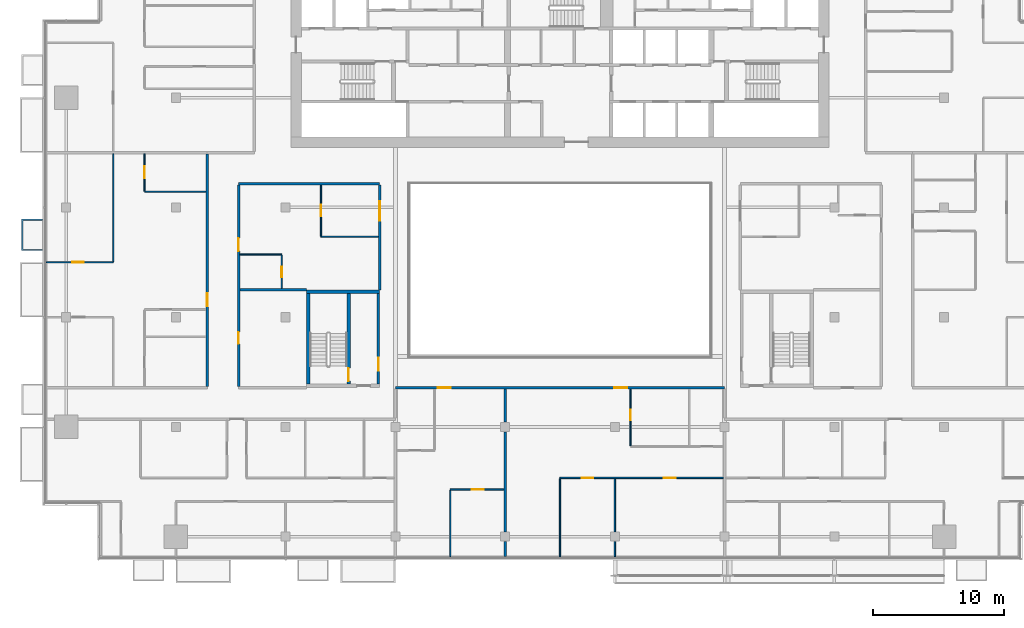
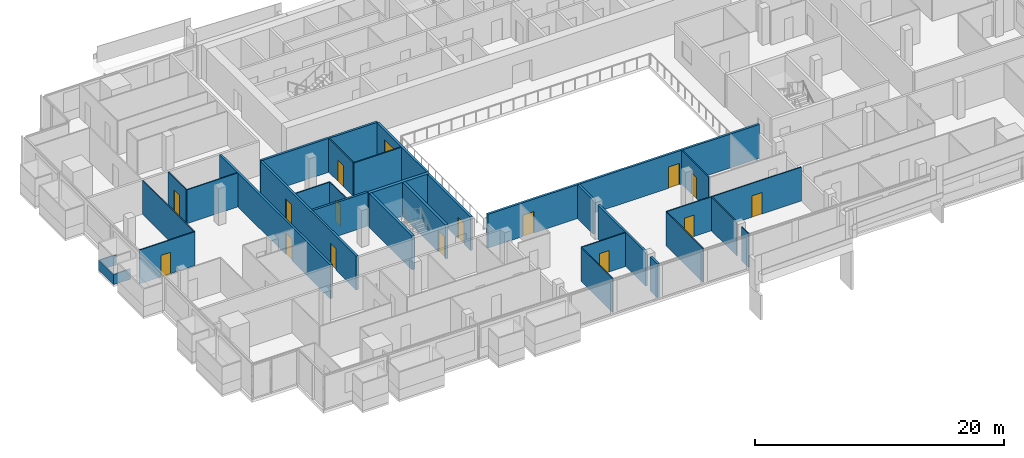
# One storey, part 18 of 28: 29 walls, 15 doors, 1 window, 16 openings.
"""IFC4 building model written with IfcOpenShell, lengths in metres."""

from ifc_helpers import new_model, si_unit, direction, frame, frame_2d, origin, place, context, subcontext, project, spatial, polyline, rectangle, outline, extrude, material, layer, layer_set, type_object, element, fill, save


model = new_model("IFC4")

# Units and contexts
model_context = context("Model", 3, precision=1e-05, world=origin(), true_north=direction((0.0, 1.0)))
body_context = subcontext(model_context, "Body", "Model", "MODEL_VIEW")
ifc_project = project(units=[si_unit("LENGTHUNIT", "METRE"), si_unit("AREAUNIT", "SQUARE_METRE"), si_unit("VOLUMEUNIT", "CUBIC_METRE"), si_unit("PLANEANGLEUNIT", "RADIAN"), si_unit("MASSUNIT", "GRAM", prefix="KILO")], contexts=[model_context])

# Site, building, storey
site_placement = place(None, origin())
site = spatial("IfcSite", under=ifc_project, at=site_placement, CompositionType="ELEMENT")
building_placement = place(site_placement, origin())
building = spatial("IfcBuilding", under=site, at=building_placement, Name="Saffron Gate Tower", CompositionType="ELEMENT")
storey_placement = place(building_placement, frame((0.0, 0.0, 154.64990234375)))
storey = spatial("IfcBuildingStorey", under=building, at=storey_placement, Name="L37", CompositionType="ELEMENT", Elevation=154.64990234375)

# Wall, opening, door
ifc_material_1 = material(Name="Gypsum board partition on steel studs", Category="steel")
ifc_layer_1 = layer(ifc_material_1, 0.199951171875)
ifc_layer_set_1 = layer_set([ifc_layer_1], Name="CW10 Core partition 200")
wall_type_1 = type_object("IfcWallType", Name="CW10 Core partition 200", PredefinedType="PARTITIONING", material=ifc_layer_set_1)
wall_1_placement = place(storey_placement, frame((73.699951171875, 43.5, 0.0), z_axis=(0.0, 0.0, 1.0), x_axis=(0.0, 1.0, 0.0)))
wall_1 = element("IfcWall", 1, at=wall_1_placement, inside=storey, type_object=wall_type_1, Name="Wall CW10-L37-D-4", PredefinedType="PARTITIONING", context=body_context, shape_type="SweptSolid", body=[
    extrude(rectangle(XDim=6.89990234375, YDim=0.199951171875, at=frame_2d((3.449951171875, 0.0))), origin(), (0.0, 0.0, 1.0), 3.320068359375),
])
opening_1_placement = place(wall_1_placement, frame((1.0, 0.0, 0.0)))
opening_1 = element("IfcOpeningElement", 2, at=opening_1_placement, cuts=wall_1, Name="Opening CR-19", PredefinedType="OPENING", context=body_context, shape_type="SweptSolid", body=[
    extrude(rectangle(XDim=1.0, YDim=2.10009765625, at=frame_2d((0.5, 1.050048828125))), frame((0.0, 0.10986328125, 0.0), z_axis=(0.0, -1.0, 0.0), x_axis=(1.0, 0.0, 0.0)), (0.0, 0.0, 1.0), 0.219970703125),
])
ifc_material_2 = material(Name="Steel fire door set", Category="steel")
door_type_1 = type_object("IfcDoorType", Name="CD4 Lobby door 1000x2100 EI 120", OperationType="NOTDEFINED", PredefinedType="DOOR", material=ifc_material_2)
door_1_placement = place(opening_1_placement, origin())
door_1 = element("IfcDoor", 3, at=door_1_placement, inside=storey, type_object=door_type_1, Name="DOOR CR-19", OperationType="SINGLE_SWING_RIGHT", OverallHeight=2.10009765625, OverallWidth=1.0, PredefinedType="DOOR", context=body_context, shape_type="SweptSolid", body=[
    extrude(rectangle(XDim=1.0, YDim=2.10009765625, at=frame_2d((0.5, 1.050048828125))), frame((0.0, 0.02490234375, 0.0), z_axis=(0.0, -1.0, 0.0), x_axis=(1.0, 0.0, 0.0)), (0.0, 0.0, 1.0), 0.050048828125),
])
fill(opening_1, door_1)

# Wall
ifc_material_3 = material(Name="Concrete C60", Category="concrete")
ifc_layer_2 = layer(ifc_material_3, 0.25)
ifc_layer_set_2 = layer_set([ifc_layer_2], Name="CW14 RC core wall 250 C60")
wall_type_2 = type_object("IfcWallType", Name="CW14 RC core wall 250 C60", PredefinedType="SOLIDWALL", material=ifc_layer_set_2)
wall_2_placement = place(storey_placement, frame((68.324951171875, 43.5, 0.0), z_axis=(0.0, 0.0, 1.0), x_axis=(0.0, 1.0, 0.0)))
element("IfcWall", 4, at=wall_2_placement, inside=storey, type_object=wall_type_2, Name="Wall CW14-L37-D-2", PredefinedType="SOLIDWALL", context=body_context, shape_type="SweptSolid", body=[
    extrude(rectangle(XDim=6.89990234375, YDim=0.25, at=frame_2d((3.449951171875, 0.0))), origin(), (0.0, 0.0, 1.0), 3.320068359375),
])

# Wall, opening, door
wall_3_placement = place(storey_placement, frame((71.425048828125, 43.5, 0.0), z_axis=(0.0, 0.0, 1.0), x_axis=(0.0, 1.0, 0.0)))
wall_3 = element("IfcWall", 5, at=wall_3_placement, inside=storey, type_object=wall_type_2, Name="Wall CW14-L37-D-3", PredefinedType="SOLIDWALL", context=body_context, shape_type="SweptSolid", body=[
    extrude(rectangle(XDim=6.89990234375, YDim=0.25, at=frame_2d((3.449951171875, 0.0))), origin(), (0.0, 0.0, 1.0), 3.320068359375),
])
opening_2_placement = place(wall_3_placement, frame((0.199951171875, 0.0, 0.0)))
opening_2 = element("IfcOpeningElement", 6, at=opening_2_placement, cuts=wall_3, Name="Opening CR-20", PredefinedType="OPENING", context=body_context, shape_type="SweptSolid", body=[
    extrude(rectangle(XDim=1.0, YDim=2.10009765625, at=frame_2d((0.5, 1.050048828125))), frame((0.0, 0.135009765625, 0.0), z_axis=(0.0, -1.0, 0.0), x_axis=(1.0, 0.0, 0.0)), (0.0, 0.0, 1.0), 0.27001953125),
])
door_type_2 = type_object("IfcDoorType", Name="CD5 Stair door 1000x2100 EI 120", OperationType="NOTDEFINED", PredefinedType="DOOR", material=ifc_material_2)
door_2_placement = place(opening_2_placement, origin())
door_2 = element("IfcDoor", 7, at=door_2_placement, inside=storey, type_object=door_type_2, Name="DOOR CR-20", OperationType="SINGLE_SWING_LEFT", OverallHeight=2.10009765625, OverallWidth=1.0, PredefinedType="DOOR", context=body_context, shape_type="SweptSolid", body=[
    extrude(rectangle(XDim=1.0, YDim=2.10009765625, at=frame_2d((0.5, 1.050048828125))), frame((0.0, 0.02490234375, 0.0), z_axis=(0.0, -1.0, 0.0), x_axis=(1.0, 0.0, 0.0)), (0.0, 0.0, 1.0), 0.050048828125),
])
fill(opening_2, door_2)

# Wall
ifc_layer_3 = layer(ifc_material_3, 0.300048828125)
ifc_layer_set_3 = layer_set([ifc_layer_3], Name="CW17 RC core wall 300 C60")
wall_type_3 = type_object("IfcWallType", Name="CW17 RC core wall 300 C60", PredefinedType="SOLIDWALL", material=ifc_layer_set_3)
wall_4_placement = place(storey_placement, frame((68.199951171875, 50.550048828125, 0.0), z_axis=(0.0, 0.0, 1.0), x_axis=(1.0, 0.0, 0.0)))
element("IfcWall", 8, at=wall_4_placement, inside=storey, type_object=wall_type_3, Name="Wall CW17-L37-D-5", PredefinedType="SOLIDWALL", context=body_context, shape_type="SweptSolid", body=[
    extrude(rectangle(XDim=5.60009765625, YDim=0.300048828125, at=frame_2d((2.800048828125, 0.0))), origin(), (0.0, 0.0, 1.0), 3.320068359375),
])

# Wall, opening, door
ifc_material_4 = material(Name="Plasterboard on steel studs", Category="steel")
ifc_layer_4 = layer(ifc_material_4, 0.10009765625)
ifc_layer_set_4 = layer_set([ifc_layer_4], Name="PW1 Partition 100")
wall_type_4 = type_object("IfcWallType", Name="PW1 Partition 100", PredefinedType="PARTITIONING", material=ifc_layer_set_4)
wall_5_placement = place(storey_placement, frame((83.300048828125, 35.39990234375, 0.0), z_axis=(0.0, 0.0, 1.0), x_axis=(-1.0, 0.0, 0.0)))
wall_5 = element("IfcWall", 9, at=wall_5_placement, inside=storey, type_object=wall_type_4, Name="Partition C1-5", PredefinedType="PARTITIONING", context=body_context, shape_type="SweptSolid", body=[
    extrude(rectangle(XDim=4.10009765625, YDim=0.10009765625, at=frame_2d((2.050048828125, 0.0))), origin(), (0.0, 0.0, 1.0), 3.320068359375),
])
opening_3_placement = place(wall_5_placement, frame((1.550048828125, 0.0, 0.0)))
opening_3 = element("IfcOpeningElement", 10, at=opening_3_placement, cuts=wall_5, Name="Opening C1-16", PredefinedType="OPENING", context=body_context, shape_type="SweptSolid", body=[
    extrude(rectangle(XDim=0.89990234375, YDim=2.10009765625, at=frame_2d((0.449951171875, 1.050048828125))), frame((0.0, 0.06005859375, 0.0), z_axis=(0.0, -1.0, 0.0), x_axis=(1.0, 0.0, 0.0)), (0.0, 0.0, 1.0), 0.1201171875),
])
ifc_material_5 = material(Name="Timber door set", Category="wood")
door_type_3 = type_object("IfcDoorType", Name="RD1 Room door 900x2100", OperationType="NOTDEFINED", PredefinedType="DOOR", material=ifc_material_5)
door_3_placement = place(opening_3_placement, origin())
door_3 = element("IfcDoor", 11, at=door_3_placement, inside=storey, type_object=door_type_3, Name="Door C1-16", OperationType="SINGLE_SWING_LEFT", OverallHeight=2.10009765625, OverallWidth=0.89990234375, PredefinedType="DOOR", context=body_context, shape_type="SweptSolid", body=[
    extrude(rectangle(XDim=0.89990234375, YDim=2.10009765625, at=frame_2d((0.449951171875, 1.050048828125))), frame((0.0, 0.02490234375, 0.0), z_axis=(0.0, -1.0, 0.0), x_axis=(1.0, 0.0, 0.0)), (0.0, 0.0, 1.0), 0.050048828125),
])
fill(opening_3, door_3)

wall_6_placement = place(storey_placement, frame((48.280029296875, 52.800048828125, 0.0), z_axis=(0.0, 0.0, 1.0), x_axis=(1.0, 0.0, 0.0)))
wall_6 = element("IfcWall", 12, at=wall_6_placement, inside=storey, type_object=wall_type_4, Name="Partition C1-29", PredefinedType="PARTITIONING", context=body_context, shape_type="SweptSolid", body=[
    extrude(rectangle(XDim=5.119873046875, YDim=0.10009765625, at=frame_2d((2.56005859375, 0.0))), origin(), (0.0, 0.0, 1.0), 3.320068359375),
])
opening_4_placement = place(wall_6_placement, frame((1.969970703125, 0.0, 0.0)))
opening_4 = element("IfcOpeningElement", 13, at=opening_4_placement, cuts=wall_6, Name="Opening C1-26", PredefinedType="OPENING", context=body_context, shape_type="SweptSolid", body=[
    extrude(rectangle(XDim=0.89990234375, YDim=2.10009765625, at=frame_2d((0.449951171875, 1.050048828125))), frame((0.0, 0.06005859375, 0.0), z_axis=(0.0, -1.0, 0.0), x_axis=(1.0, 0.0, 0.0)), (0.0, 0.0, 1.0), 0.1201171875),
])
door_4_placement = place(opening_4_placement, origin())
door_4 = element("IfcDoor", 14, at=door_4_placement, inside=storey, type_object=door_type_3, Name="Door C1-26", OperationType="SINGLE_SWING_LEFT", OverallHeight=2.10009765625, OverallWidth=0.89990234375, PredefinedType="DOOR", context=body_context, shape_type="SweptSolid", body=[
    extrude(rectangle(XDim=0.89990234375, YDim=2.10009765625, at=frame_2d((0.449951171875, 1.050048828125))), frame((0.0, 0.02490234375, 0.0), z_axis=(0.0, -1.0, 0.0), x_axis=(1.0, 0.0, 0.0)), (0.0, 0.0, 1.0), 0.050048828125),
])
fill(opening_4, door_4)

# Walls
wall_7_placement = place(storey_placement, frame((63.10009765625, 53.39990234375, 0.0), z_axis=(0.0, 0.0, 1.0), x_axis=(1.0, 0.0, 0.0)))
element("IfcWall", 15, at=wall_7_placement, inside=storey, type_object=wall_type_4, Name="Partition C1-31", PredefinedType="PARTITIONING", context=body_context, shape_type="SweptSolid", body=[
    extrude(rectangle(XDim=3.199951171875, YDim=0.10009765625, at=frame_2d((1.60009765625, 0.0))), origin(), (0.0, 0.0, 1.0), 3.320068359375),
])
wall_8_placement = place(storey_placement, frame((69.300048828125, 54.75, 0.0), z_axis=(0.0, 0.0, 1.0), x_axis=(1.0, 0.0, 0.0)))
element("IfcWall", 16, at=wall_8_placement, inside=storey, type_object=wall_type_4, Name="Partition C1-32", PredefinedType="PARTITIONING", context=body_context, shape_type="SweptSolid", body=[
    extrude(rectangle(XDim=4.39990234375, YDim=0.10009765625, at=frame_2d((2.199951171875, 0.0))), origin(), (0.0, 0.0, 1.0), 3.320068359375),
])
wall_9_placement = place(storey_placement, frame((55.800048828125, 58.199951171875, 0.0), z_axis=(0.0, 0.0, 1.0), x_axis=(1.0, 0.0, 0.0)))
element("IfcWall", 17, at=wall_9_placement, inside=storey, type_object=wall_type_4, Name="Partition C1-38", PredefinedType="PARTITIONING", context=body_context, shape_type="SweptSolid", body=[
    extrude(rectangle(XDim=4.699951171875, YDim=0.10009765625, at=frame_2d((2.35009765625, 0.0))), origin(), (0.0, 0.0, 1.0), 3.320068359375),
])

# Wall, opening, door
wall_10_placement = place(storey_placement, frame((55.800048828125, 61.10009765625, 0.0), z_axis=(0.0, 0.0, 1.0), x_axis=(0.0, -1.0, 0.0)))
wall_10 = element("IfcWall", 18, at=wall_10_placement, inside=storey, type_object=wall_type_4, Name="Partition C1-61", PredefinedType="PARTITIONING", context=body_context, shape_type="SweptSolid", body=[
    extrude(rectangle(XDim=2.85009765625, YDim=0.10009765625, at=frame_2d((1.425048828125, 0.0))), origin(), (0.0, 0.0, 1.0), 3.320068359375),
])
opening_5_placement = place(wall_10_placement, frame((0.949951171875, 0.0, 0.0)))
opening_5 = element("IfcOpeningElement", 19, at=opening_5_placement, cuts=wall_10, Name="Opening C1-27", PredefinedType="OPENING", context=body_context, shape_type="SweptSolid", body=[
    extrude(rectangle(XDim=0.89990234375, YDim=2.10009765625, at=frame_2d((0.449951171875, 1.050048828125))), frame((0.0, 0.06005859375, 0.0), z_axis=(0.0, -1.0, 0.0), x_axis=(1.0, 0.0, 0.0)), (0.0, 0.0, 1.0), 0.1201171875),
])
door_5_placement = place(opening_5_placement, origin())
door_5 = element("IfcDoor", 20, at=door_5_placement, inside=storey, type_object=door_type_3, Name="Door C1-27", OperationType="SINGLE_SWING_LEFT", OverallHeight=2.10009765625, OverallWidth=0.89990234375, PredefinedType="DOOR", context=body_context, shape_type="SweptSolid", body=[
    extrude(rectangle(XDim=0.89990234375, YDim=2.10009765625, at=frame_2d((0.449951171875, 1.050048828125))), frame((0.0, 0.02490234375, 0.0), z_axis=(0.0, -1.0, 0.0), x_axis=(1.0, 0.0, 0.0)), (0.0, 0.0, 1.0), 0.050048828125),
])
fill(opening_5, door_5)

wall_11_placement = place(storey_placement, frame((66.300048828125, 50.800048828125, 0.0), z_axis=(0.0, 0.0, 1.0), x_axis=(0.0, 1.0, 0.0)))
wall_11 = element("IfcWall", 21, at=wall_11_placement, inside=storey, type_object=wall_type_4, Name="Partition C1-71", PredefinedType="PARTITIONING", context=body_context, shape_type="SweptSolid", body=[
    extrude(rectangle(XDim=2.550048828125, YDim=0.10009765625, at=frame_2d((1.27490234375, 0.0))), origin(), (0.0, 0.0, 1.0), 3.320068359375),
])
opening_6_placement = place(wall_11_placement, frame((0.85009765625, 0.0, 0.0)))
opening_6 = element("IfcOpeningElement", 22, at=opening_6_placement, cuts=wall_11, Name="Opening C1-52", PredefinedType="OPENING", context=body_context, shape_type="SweptSolid", body=[
    extrude(rectangle(XDim=0.800048828125, YDim=2.10009765625, at=frame_2d((0.39990234375, 1.050048828125))), frame((0.0, 0.06005859375, 0.0), z_axis=(0.0, -1.0, 0.0), x_axis=(1.0, 0.0, 0.0)), (0.0, 0.0, 1.0), 0.1201171875),
])
door_type_4 = type_object("IfcDoorType", Name="RD2 Bathroom door 800x2100", OperationType="NOTDEFINED", PredefinedType="DOOR", material=ifc_material_5)
door_6_placement = place(opening_6_placement, origin())
door_6 = element("IfcDoor", 23, at=door_6_placement, inside=storey, type_object=door_type_4, Name="Door C1-52", OperationType="SINGLE_SWING_LEFT", OverallHeight=2.10009765625, OverallWidth=0.800048828125, PredefinedType="DOOR", context=body_context, shape_type="SweptSolid", body=[
    extrude(rectangle(XDim=0.800048828125, YDim=2.10009765625, at=frame_2d((0.39990234375, 1.050048828125))), frame((0.0, 0.02490234375, 0.0), z_axis=(0.0, -1.0, 0.0), x_axis=(1.0, 0.0, 0.0)), (0.0, 0.0, 1.0), 0.050048828125),
])
fill(opening_6, door_6)

wall_12_placement = place(storey_placement, frame((69.300048828125, 58.699951171875, 0.0), z_axis=(0.0, 0.0, 1.0), x_axis=(0.0, -1.0, 0.0)))
wall_12 = element("IfcWall", 24, at=wall_12_placement, inside=storey, type_object=wall_type_4, Name="Partition C1-75", PredefinedType="PARTITIONING", context=body_context, shape_type="SweptSolid", body=[
    extrude(rectangle(XDim=3.89990234375, YDim=0.10009765625, at=frame_2d((1.949951171875, 0.0))), origin(), (0.0, 0.0, 1.0), 3.320068359375),
])
opening_7_placement = place(wall_12_placement, frame((1.47509765625, 0.0, 0.0)))
opening_7 = element("IfcOpeningElement", 25, at=opening_7_placement, cuts=wall_12, Name="Opening C1-37", PredefinedType="OPENING", context=body_context, shape_type="SweptSolid", body=[
    extrude(rectangle(XDim=0.89990234375, YDim=2.10009765625, at=frame_2d((0.449951171875, 1.050048828125))), frame((0.0, 0.06005859375, 0.0), z_axis=(0.0, -1.0, 0.0), x_axis=(1.0, 0.0, 0.0)), (0.0, 0.0, 1.0), 0.1201171875),
])
door_7_placement = place(opening_7_placement, origin())
door_7 = element("IfcDoor", 26, at=door_7_placement, inside=storey, type_object=door_type_3, Name="Door C1-37", OperationType="SINGLE_SWING_LEFT", OverallHeight=2.10009765625, OverallWidth=0.89990234375, PredefinedType="DOOR", context=body_context, shape_type="SweptSolid", body=[
    extrude(rectangle(XDim=0.89990234375, YDim=2.10009765625, at=frame_2d((0.449951171875, 1.050048828125))), frame((0.0, 0.02490234375, 0.0), z_axis=(0.0, -1.0, 0.0), x_axis=(1.0, 0.0, 0.0)), (0.0, 0.0, 1.0), 0.050048828125),
])
fill(opening_7, door_7)

# Walls
wall_13_placement = place(storey_placement, frame((79.199951171875, 35.35009765625, 0.0), z_axis=(0.0, 0.0, 1.0), x_axis=(0.0, -1.0, 0.0)))
element("IfcWall", 27, at=wall_13_placement, inside=storey, type_object=wall_type_4, Name="Partition C1-82", PredefinedType="PARTITIONING", context=body_context, shape_type="SweptSolid", body=[
    extrude(rectangle(XDim=5.070068359375, YDim=0.10009765625, at=frame_2d((2.53515625, 0.0))), origin(), (0.0, 0.0, 1.0), 3.320068359375),
])
wall_14_placement = place(storey_placement, frame((87.60009765625, 36.25, 0.0), z_axis=(0.0, 0.0, 1.0), x_axis=(0.0, -1.0, 0.0)))
element("IfcWall", 28, at=wall_14_placement, inside=storey, type_object=wall_type_4, Name="Partition C1-86", PredefinedType="PARTITIONING", context=body_context, shape_type="SweptSolid", body=[
    extrude(rectangle(XDim=5.969970703125, YDim=0.10009765625, at=frame_2d((2.98486328125, 0.0))), origin(), (0.0, 0.0, 1.0), 3.320068359375),
])
wall_15_placement = place(storey_placement, frame((91.800048828125, 31.429931640625, 0.0), z_axis=(0.0, 0.0, 1.0), x_axis=(0.0, -1.0, 0.0)))
element("IfcWall", 29, at=wall_15_placement, inside=storey, type_object=wall_type_4, Name="Partition C1-87", PredefinedType="PARTITIONING", context=body_context, shape_type="SweptSolid", body=[
    extrude(rectangle(XDim=1.14990234375, YDim=0.10009765625, at=frame_2d((0.574951171875, 0.0))), origin(), (0.0, 0.0, 1.0), 3.320068359375),
])
wall_16_placement = place(storey_placement, frame((91.800048828125, 36.25, 0.0), z_axis=(0.0, 0.0, 1.0), x_axis=(0.0, -1.0, 0.0)))
element("IfcWall", 30, at=wall_16_placement, inside=storey, type_object=wall_type_4, Name="Partition C1-88", PredefinedType="PARTITIONING", context=body_context, shape_type="SweptSolid", body=[
    extrude(rectangle(XDim=4.080078125, YDim=0.10009765625, at=frame_2d((2.0400390625, 0.0))), origin(), (0.0, 0.0, 1.0), 3.320068359375),
])

# Wall, opening, door
wall_17_placement = place(storey_placement, frame((93.0, 43.10009765625, 0.0), z_axis=(0.0, 0.0, 1.0), x_axis=(0.0, -1.0, 0.0)))
wall_17 = element("IfcWall", 31, at=wall_17_placement, inside=storey, type_object=wall_type_4, Name="Partition C1-89", PredefinedType="PARTITIONING", context=body_context, shape_type="SweptSolid", body=[
    extrude(rectangle(XDim=4.35009765625, YDim=0.10009765625, at=frame_2d((2.175048828125, 0.0))), origin(), (0.0, 0.0, 1.0), 3.320068359375),
])
opening_8_placement = place(wall_17_placement, frame((1.60009765625, 0.0, 0.0)))
opening_8 = element("IfcOpeningElement", 32, at=opening_8_placement, cuts=wall_17, Name="Opening C1-42", PredefinedType="OPENING", context=body_context, shape_type="SweptSolid", body=[
    extrude(rectangle(XDim=0.800048828125, YDim=2.10009765625, at=frame_2d((0.39990234375, 1.050048828125))), frame((0.0, 0.06005859375, 0.0), z_axis=(0.0, -1.0, 0.0), x_axis=(1.0, 0.0, 0.0)), (0.0, 0.0, 1.0), 0.1201171875),
])
door_8_placement = place(opening_8_placement, origin())
door_8 = element("IfcDoor", 33, at=door_8_placement, inside=storey, type_object=door_type_4, Name="Door C1-42", OperationType="SINGLE_SWING_LEFT", OverallHeight=2.10009765625, OverallWidth=0.800048828125, PredefinedType="DOOR", context=body_context, shape_type="SweptSolid", body=[
    extrude(rectangle(XDim=0.800048828125, YDim=2.10009765625, at=frame_2d((0.39990234375, 1.050048828125))), frame((0.0, 0.02490234375, 0.0), z_axis=(0.0, -1.0, 0.0), x_axis=(1.0, 0.0, 0.0)), (0.0, 0.0, 1.0), 0.050048828125),
])
fill(opening_8, door_8)

# Wall, openings, doors
wall_18_placement = place(storey_placement, frame((100.10009765625, 36.300048828125, 0.0), z_axis=(0.0, 0.0, 1.0), x_axis=(-1.0, 0.0, 0.0)))
wall_18 = element("IfcWall", 34, at=wall_18_placement, inside=storey, type_object=wall_type_4, Name="Partition C1-118", PredefinedType="PARTITIONING", context=body_context, shape_type="SweptSolid", body=[
    extrude(rectangle(XDim=12.5, YDim=0.10009765625, at=frame_2d((6.25, 0.0))), origin(), (0.0, 0.0, 1.0), 3.320068359375),
])
opening_9_placement = place(wall_18_placement, frame((3.64990234375, 0.0, 0.0)))
opening_9 = element("IfcOpeningElement", 35, at=opening_9_placement, cuts=wall_18, Name="Opening C1-18", PredefinedType="OPENING", context=body_context, shape_type="SweptSolid", body=[
    extrude(rectangle(XDim=0.89990234375, YDim=2.10009765625, at=frame_2d((0.449951171875, 1.050048828125))), frame((0.0, 0.06005859375, 0.0), z_axis=(0.0, -1.0, 0.0), x_axis=(1.0, 0.0, 0.0)), (0.0, 0.0, 1.0), 0.1201171875),
])
opening_10_placement = place(wall_18_placement, frame((9.949951171875, 0.0, 0.0)))
opening_10 = element("IfcOpeningElement", 36, at=opening_10_placement, cuts=wall_18, Name="Opening C1-17", PredefinedType="OPENING", context=body_context, shape_type="SweptSolid", body=[
    extrude(rectangle(XDim=0.89990234375, YDim=2.10009765625, at=frame_2d((0.449951171875, 1.050048828125))), frame((0.0, 0.06005859375, 0.0), z_axis=(0.0, -1.0, 0.0), x_axis=(1.0, 0.0, 0.0)), (0.0, 0.0, 1.0), 0.1201171875),
])
door_9_placement = place(opening_9_placement, origin())
door_9 = element("IfcDoor", 37, at=door_9_placement, inside=storey, type_object=door_type_3, Name="Door C1-18", OperationType="SINGLE_SWING_LEFT", OverallHeight=2.10009765625, OverallWidth=0.89990234375, PredefinedType="DOOR", context=body_context, shape_type="SweptSolid", body=[
    extrude(rectangle(XDim=0.89990234375, YDim=2.10009765625, at=frame_2d((0.449951171875, 1.050048828125))), frame((0.0, 0.02490234375, 0.0), z_axis=(0.0, -1.0, 0.0), x_axis=(1.0, 0.0, 0.0)), (0.0, 0.0, 1.0), 0.050048828125),
])
fill(opening_9, door_9)
door_10_placement = place(opening_10_placement, origin())
door_10 = element("IfcDoor", 38, at=door_10_placement, inside=storey, type_object=door_type_3, Name="Door C1-17", OperationType="SINGLE_SWING_LEFT", OverallHeight=2.10009765625, OverallWidth=0.89990234375, PredefinedType="DOOR", context=body_context, shape_type="SweptSolid", body=[
    extrude(rectangle(XDim=0.89990234375, YDim=2.10009765625, at=frame_2d((0.449951171875, 1.050048828125))), frame((0.0, 0.02490234375, 0.0), z_axis=(0.0, -1.0, 0.0), x_axis=(1.0, 0.0, 0.0)), (0.0, 0.0, 1.0), 0.050048828125),
])
fill(opening_10, door_10)

# Walls
wall_19_placement = place(storey_placement, frame((53.39990234375, 61.10009765625, 0.0), z_axis=(0.0, 0.0, 1.0), x_axis=(0.0, -1.0, 0.0)))
element("IfcWall", 39, at=wall_19_placement, inside=storey, type_object=wall_type_4, Name="Partition C1-120", PredefinedType="PARTITIONING", context=body_context, shape_type="SweptSolid", body=[
    extrude(rectangle(XDim=8.25, YDim=0.10009765625, at=frame_2d((4.125, 0.0))), origin(), (0.0, 0.0, 1.0), 3.320068359375),
])
ifc_material_6 = material(Name="Clay brick masonry, rendered", Category="masonry")
ifc_layer_5 = layer(ifc_material_6, 0.199951171875)
ifc_layer_set_5 = layer_set([ifc_layer_5], Name="PW2 Demising wall 200")
wall_type_5 = type_object("IfcWallType", Name="PW2 Demising wall 200", PredefinedType="PARTITIONING", material=ifc_layer_set_5)
wall_20_placement = place(storey_placement, frame((63.10009765625, 50.699951171875, 0.0), z_axis=(0.0, 0.0, 1.0), x_axis=(1.0, 0.0, 0.0)))
element("IfcWall", 40, at=wall_20_placement, inside=storey, type_object=wall_type_5, Name="Wall C1-26", PredefinedType="PARTITIONING", context=body_context, shape_type="SweptSolid", body=[
    extrude(rectangle(XDim=5.099853515625, YDim=0.199951171875, at=frame_2d((2.5498046875, 0.0))), origin(), (0.0, 0.0, 1.0), 3.320068359375),
])
wall_21_placement = place(storey_placement, frame((83.39990234375, 31.429931640625, 0.0), z_axis=(0.0, 0.0, 1.0), x_axis=(0.0, -1.0, 0.0)))
element("IfcWall", 41, at=wall_21_placement, inside=storey, type_object=wall_type_5, Name="Wall C1-83", PredefinedType="PARTITIONING", context=body_context, shape_type="SweptSolid", body=[
    extrude(rectangle(XDim=1.14990234375, YDim=0.199951171875, at=frame_2d((0.574951171875, 0.0))), origin(), (0.0, 0.0, 1.0), 3.320068359375),
])
wall_22_placement = place(storey_placement, frame((83.39990234375, 39.830078125, 0.0), z_axis=(0.0, 0.0, 1.0), x_axis=(0.0, -1.0, 0.0)))
element("IfcWall", 42, at=wall_22_placement, inside=storey, type_object=wall_type_5, Name="Wall C1-84", PredefinedType="PARTITIONING", context=body_context, shape_type="SweptSolid", body=[
    extrude(rectangle(XDim=7.66015625, YDim=0.199951171875, at=frame_2d((3.830078125, 0.0))), origin(), (0.0, 0.0, 1.0), 3.320068359375),
])
wall_23_placement = place(storey_placement, frame((83.39990234375, 43.10009765625, 0.0), z_axis=(0.0, 0.0, 1.0), x_axis=(0.0, -1.0, 0.0)))
element("IfcWall", 43, at=wall_23_placement, inside=storey, type_object=wall_type_5, Name="Wall C1-85", PredefinedType="PARTITIONING", context=body_context, shape_type="SweptSolid", body=[
    extrude(rectangle(XDim=2.530029296875, YDim=0.199951171875, at=frame_2d((1.26513671875, 0.0))), origin(), (0.0, 0.0, 1.0), 3.320068359375),
])

# Wall, openings, doors
ifc_layer_6 = layer(ifc_material_6, 0.199951171875)
ifc_layer_set_6 = layer_set([ifc_layer_6], Name="PW3 Corridor wall 200")
wall_type_6 = type_object("IfcWallType", Name="PW3 Corridor wall 200", PredefinedType="PARTITIONING", material=ifc_layer_set_6)
wall_24_placement = place(storey_placement, frame((100.199951171875, 43.199951171875, 0.0), z_axis=(0.0, 0.0, 1.0), x_axis=(-1.0, 0.0, 0.0)))
wall_24 = element("IfcWall", 44, at=wall_24_placement, inside=storey, type_object=wall_type_6, Name="Wall C1-17", PredefinedType="PARTITIONING", context=body_context, shape_type="SweptSolid", body=[
    extrude(rectangle(XDim=25.199951171875, YDim=0.199951171875, at=frame_2d((12.60009765625, 0.0))), origin(), (0.0, 0.0, 1.0), 3.320068359375),
])
opening_11_placement = place(wall_24_placement, frame((7.449951171875, 0.0, 0.0)))
opening_11 = element("IfcOpeningElement", 45, at=opening_11_placement, cuts=wall_24, Name="Opening C1-3", PredefinedType="OPENING", context=body_context, shape_type="SweptSolid", body=[
    extrude(rectangle(XDim=1.0, YDim=2.10009765625, at=frame_2d((0.5, 1.050048828125))), frame((0.0, 0.10986328125, 0.0), z_axis=(0.0, -1.0, 0.0), x_axis=(1.0, 0.0, 0.0)), (0.0, 0.0, 1.0), 0.219970703125),
])
opening_12_placement = place(wall_24_placement, frame((20.949951171875, 0.0, 0.0)))
opening_12 = element("IfcOpeningElement", 46, at=opening_12_placement, cuts=wall_24, Name="Opening C1-2", PredefinedType="OPENING", context=body_context, shape_type="SweptSolid", body=[
    extrude(rectangle(XDim=1.0, YDim=2.10009765625, at=frame_2d((0.5, 1.050048828125))), frame((0.0, 0.10986328125, 0.0), z_axis=(0.0, -1.0, 0.0), x_axis=(1.0, 0.0, 0.0)), (0.0, 0.0, 1.0), 0.219970703125),
])
ifc_material_7 = material(Name="Timber fire door set", Category="wood")
door_type_5 = type_object("IfcDoorType", Name="FD1 Flat entry door 1000x2100", OperationType="NOTDEFINED", PredefinedType="DOOR", material=ifc_material_7)
door_11_placement = place(opening_11_placement, origin())
door_11 = element("IfcDoor", 47, at=door_11_placement, inside=storey, type_object=door_type_5, Name="Door C1-3", OperationType="SINGLE_SWING_RIGHT", OverallHeight=2.10009765625, OverallWidth=1.0, PredefinedType="DOOR", context=body_context, shape_type="SweptSolid", body=[
    extrude(rectangle(XDim=1.0, YDim=2.10009765625, at=frame_2d((0.5, 1.050048828125))), frame((0.0, 0.02490234375, 0.0), z_axis=(0.0, -1.0, 0.0), x_axis=(1.0, 0.0, 0.0)), (0.0, 0.0, 1.0), 0.050048828125),
])
fill(opening_11, door_11)
door_12_placement = place(opening_12_placement, origin())
door_12 = element("IfcDoor", 48, at=door_12_placement, inside=storey, type_object=door_type_5, Name="Door C1-2", OperationType="SINGLE_SWING_LEFT", OverallHeight=2.10009765625, OverallWidth=1.0, PredefinedType="DOOR", context=body_context, shape_type="SweptSolid", body=[
    extrude(rectangle(XDim=1.0, YDim=2.10009765625, at=frame_2d((0.5, 1.050048828125))), frame((0.0, 0.02490234375, 0.0), z_axis=(0.0, -1.0, 0.0), x_axis=(1.0, 0.0, 0.0)), (0.0, 0.0, 1.0), 0.050048828125),
])
fill(opening_12, door_12)

# Wall
wall_25_placement = place(storey_placement, frame((63.0, 58.800048828125, 0.0), z_axis=(0.0, 0.0, 1.0), x_axis=(1.0, 0.0, 0.0)))
element("IfcWall", 49, at=wall_25_placement, inside=storey, type_object=wall_type_6, Name="Wall C1-39", PredefinedType="PARTITIONING", context=body_context, shape_type="SweptSolid", body=[
    extrude(rectangle(XDim=10.800048828125, YDim=0.199951171875, at=frame_2d((5.39990234375, 0.0))), origin(), (0.0, 0.0, 1.0), 3.320068359375),
])

# Wall, opening, door
wall_26_placement = place(storey_placement, frame((60.60009765625, 43.300048828125, 0.0), z_axis=(0.0, 0.0, 1.0), x_axis=(0.0, 1.0, 0.0)))
wall_26 = element("IfcWall", 50, at=wall_26_placement, inside=storey, type_object=wall_type_6, Name="Wall C1-66", PredefinedType="PARTITIONING", context=body_context, shape_type="SweptSolid", body=[
    extrude(rectangle(XDim=17.800048828125, YDim=0.199951171875, at=frame_2d((8.89990234375, 0.0))), origin(), (0.0, 0.0, 1.0), 3.320068359375),
])
opening_13_placement = place(wall_26_placement, frame((6.14990234375, 0.0, 0.0)))
opening_13 = element("IfcOpeningElement", 51, at=opening_13_placement, cuts=wall_26, Name="Opening C1-5", PredefinedType="OPENING", context=body_context, shape_type="SweptSolid", body=[
    extrude(rectangle(XDim=1.0, YDim=2.10009765625, at=frame_2d((0.5, 1.050048828125))), frame((0.0, 0.10986328125, 0.0), z_axis=(0.0, -1.0, 0.0), x_axis=(1.0, 0.0, 0.0)), (0.0, 0.0, 1.0), 0.219970703125),
])
door_13_placement = place(opening_13_placement, origin())
door_13 = element("IfcDoor", 52, at=door_13_placement, inside=storey, type_object=door_type_5, Name="Door C1-5", OperationType="SINGLE_SWING_RIGHT", OverallHeight=2.10009765625, OverallWidth=1.0, PredefinedType="DOOR", context=body_context, shape_type="SweptSolid", body=[
    extrude(rectangle(XDim=1.0, YDim=2.10009765625, at=frame_2d((0.5, 1.050048828125))), frame((0.0, 0.02490234375, 0.0), z_axis=(0.0, -1.0, 0.0), x_axis=(1.0, 0.0, 0.0)), (0.0, 0.0, 1.0), 0.050048828125),
])
fill(opening_13, door_13)

# Wall, openings, doors
wall_27_placement = place(storey_placement, frame((63.0, 58.699951171875, 0.0), z_axis=(0.0, 0.0, 1.0), x_axis=(0.0, -1.0, 0.0)))
wall_27 = element("IfcWall", 53, at=wall_27_placement, inside=storey, type_object=wall_type_6, Name="Wall C1-68", PredefinedType="PARTITIONING", context=body_context, shape_type="SweptSolid", body=[
    extrude(rectangle(XDim=15.39990234375, YDim=0.199951171875, at=frame_2d((7.699951171875, 0.0))), origin(), (0.0, 0.0, 1.0), 3.320068359375),
])
opening_14_placement = place(wall_27_placement, frame((4.050048828125, 0.0, 0.0)))
opening_14 = element("IfcOpeningElement", 54, at=opening_14_placement, cuts=wall_27, Name="Opening C1-9", PredefinedType="OPENING", context=body_context, shape_type="SweptSolid", body=[
    extrude(rectangle(XDim=1.0, YDim=2.10009765625, at=frame_2d((0.5, 1.050048828125))), frame((0.0, 0.10986328125, 0.0), z_axis=(0.0, -1.0, 0.0), x_axis=(1.0, 0.0, 0.0)), (0.0, 0.0, 1.0), 0.219970703125),
])
opening_15_placement = place(wall_27_placement, frame((11.25, 0.0, 0.0)))
opening_15 = element("IfcOpeningElement", 55, at=opening_15_placement, cuts=wall_27, Name="Opening C1-55", PredefinedType="OPENING", context=body_context, shape_type="SweptSolid", body=[
    extrude(rectangle(XDim=0.89990234375, YDim=2.10009765625, at=frame_2d((0.449951171875, 1.050048828125))), frame((0.0, 0.10986328125, 0.0), z_axis=(0.0, -1.0, 0.0), x_axis=(1.0, 0.0, 0.0)), (0.0, 0.0, 1.0), 0.219970703125),
])
door_14_placement = place(opening_14_placement, origin())
door_14 = element("IfcDoor", 56, at=door_14_placement, inside=storey, type_object=door_type_5, Name="Door C1-9", OperationType="SINGLE_SWING_LEFT", OverallHeight=2.10009765625, OverallWidth=1.0, PredefinedType="DOOR", context=body_context, shape_type="SweptSolid", body=[
    extrude(rectangle(XDim=1.0, YDim=2.10009765625, at=frame_2d((0.5, 1.050048828125))), frame((0.0, 0.02490234375, 0.0), z_axis=(0.0, -1.0, 0.0), x_axis=(1.0, 0.0, 0.0)), (0.0, 0.0, 1.0), 0.050048828125),
])
fill(opening_14, door_14)
door_type_6 = type_object("IfcDoorType", Name="SD1 Service door 900x2100", OperationType="NOTDEFINED", PredefinedType="DOOR", material=ifc_material_2)
door_15_placement = place(opening_15_placement, origin())
door_15 = element("IfcDoor", 57, at=door_15_placement, inside=storey, type_object=door_type_6, Name="Door C1-55", OperationType="SINGLE_SWING_RIGHT", OverallHeight=2.10009765625, OverallWidth=0.89990234375, PredefinedType="DOOR", context=body_context, shape_type="SweptSolid", body=[
    extrude(rectangle(XDim=0.89990234375, YDim=2.10009765625, at=frame_2d((0.449951171875, 1.050048828125))), frame((0.0, 0.02490234375, 0.0), z_axis=(0.0, -1.0, 0.0), x_axis=(1.0, 0.0, 0.0)), (0.0, 0.0, 1.0), 0.050048828125),
])
fill(opening_15, door_15)

# Wall, opening, window
wall_28_placement = place(storey_placement, frame((73.800048828125, 58.699951171875, 0.0), z_axis=(0.0, 0.0, 1.0), x_axis=(0.0, -1.0, 0.0)))
wall_28 = element("IfcWall", 58, at=wall_28_placement, inside=storey, type_object=wall_type_6, Name="Wall C1-77", PredefinedType="PARTITIONING", context=body_context, shape_type="SweptSolid", body=[
    extrude(rectangle(XDim=8.0, YDim=0.199951171875, at=frame_2d((4.0, 0.0))), origin(), (0.0, 0.0, 1.0), 3.320068359375),
])
opening_16_placement = place(wall_28_placement, frame((1.22509765625, 0.0, 0.89990234375)))
opening_16 = element("IfcOpeningElement", 59, at=opening_16_placement, cuts=wall_28, Name="Opening GW1", PredefinedType="OPENING", context=body_context, shape_type="SweptSolid", body=[
    extrude(rectangle(XDim=1.5, YDim=1.5, at=frame_2d((0.75, 0.75))), frame((0.0, 0.10986328125, 0.0), z_axis=(0.0, -1.0, 0.0), x_axis=(1.0, 0.0, 0.0)), (0.0, 0.0, 1.0), 0.219970703125),
])
ifc_material_8 = material(Name="Fire-resisting laminated glass in steel frame", Category="steel")
ifc_layer_7 = layer(ifc_material_8, 0.06005859375)
ifc_layer_set_7 = layer_set([ifc_layer_7], Name="GW1 Gallery window 1500x1500")
window_type = type_object("IfcWindowType", Name="GW1 Gallery window 1500x1500", PartitioningType="SINGLE_PANEL", PredefinedType="WINDOW", material=ifc_layer_set_7)
window_placement = place(opening_16_placement, origin())
window = element("IfcWindow", 60, at=window_placement, inside=storey, type_object=window_type, Name="GW1 window C1-J-B1", OverallHeight=1.5, OverallWidth=1.5, PartitioningType="SINGLE_PANEL", PredefinedType="WINDOW", context=body_context, shape_type="SweptSolid", body=[
    extrude(rectangle(XDim=1.5, YDim=1.5, at=frame_2d((0.75, 0.75))), frame((0.0, 0.030029296875, 0.0), z_axis=(0.0, -1.0, 0.0), x_axis=(1.0, 0.0, 0.0)), (0.0, 0.0, 1.0), 0.06005859375),
])
fill(opening_16, window)

# Wall
ifc_material_9 = material(Name="Rendered insulated panel, white")
ifc_layer_8 = layer(ifc_material_9, 0.10009765625)
ifc_layer_set_8 = layer_set([ifc_layer_8], Name="WB3 box parapet white")
wall_type_7 = type_object("IfcWallType", Name="WB3 box parapet white", PredefinedType="SOLIDWALL", material=ifc_layer_set_8)
wall_29_placement = place(storey_placement, origin())
element("IfcWall", 61, at=wall_29_placement, inside=storey, type_object=wall_type_7, Name="WINDOW BOX parapet", PredefinedType="SOLIDWALL", context=body_context, shape_type="SweptSolid", body=[
    extrude(outline(polyline([(48.0, 56.10009765625), (48.0, 56.0), (46.5, 56.0), (46.5, 53.800048828125), (48.0, 53.800048828125), (48.0, 53.699951171875), (46.39990234375, 53.699951171875), (46.39990234375, 56.10009765625), (48.0, 56.10009765625)])), origin(), (0.0, 0.0, 1.0), 1.0),
])

save(model, "model.ifc")
